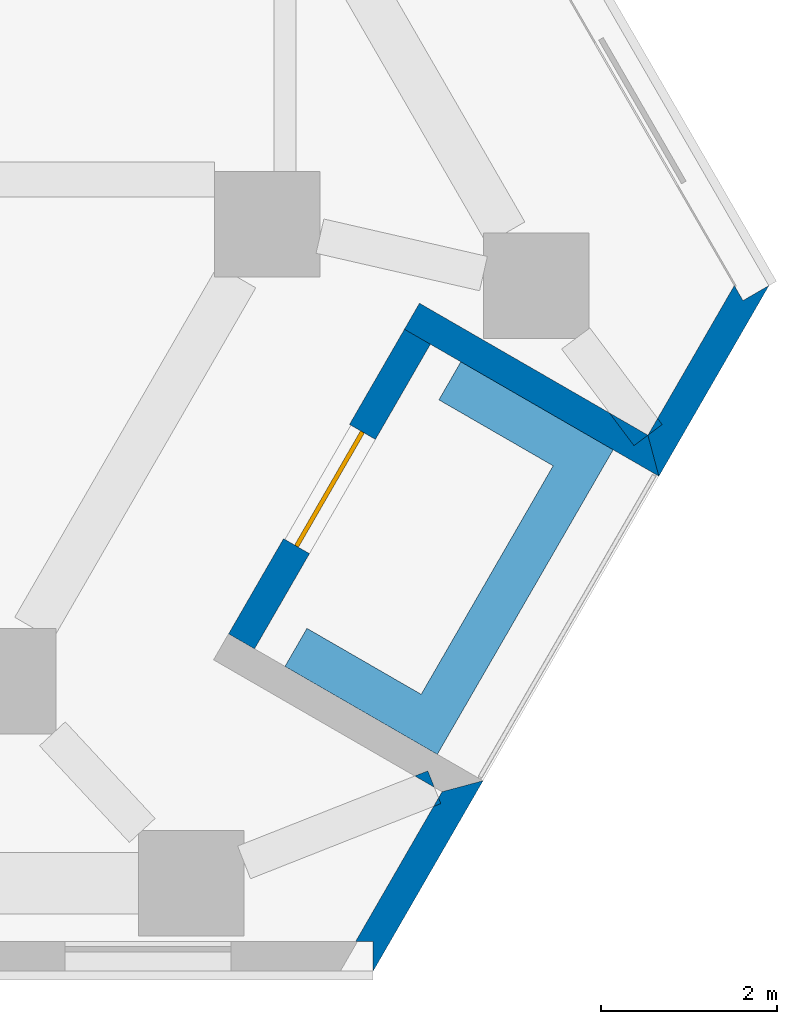
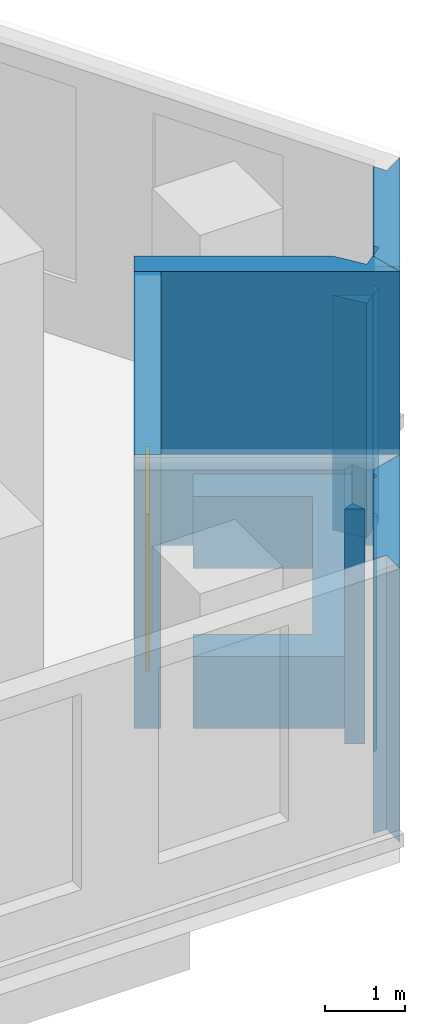
# One storey, part 7 of 14: 9 walls, 1 door, 1 opening.
"""IFC4 building model written with IfcOpenShell, lengths in metres."""

from ifc_helpers import new_model, si_unit, direction, frame, frame_2d, origin, place, context, subcontext, project, spatial, polyline, rectangle, outline, extrude, material, layer, layer_set, type_object, element, fill, save


model = new_model("IFC4")

# Units and contexts
model_context = context("Model", 3, precision=1e-05, world=origin(), true_north=direction((0.0, 1.0)))
body_context = subcontext(model_context, "Body", "Model", "MODEL_VIEW")
ifc_project = project(units=[si_unit("LENGTHUNIT", "METRE"), si_unit("AREAUNIT", "SQUARE_METRE"), si_unit("VOLUMEUNIT", "CUBIC_METRE"), si_unit("PLANEANGLEUNIT", "RADIAN"), si_unit("MASSUNIT", "GRAM", prefix="KILO")], contexts=[model_context])

# Site, building, storey
site_placement = place(None, origin())
site = spatial("IfcSite", under=ifc_project, at=site_placement, CompositionType="ELEMENT")
building_placement = place(site_placement, origin())
building = spatial("IfcBuilding", under=site, at=building_placement, Name="Fogline Exchange Tower", CompositionType="ELEMENT")
storey_placement = place(building_placement, frame((0.0, 0.0, 34.0)))
storey = spatial("IfcBuildingStorey", under=building, at=storey_placement, Name="L06", CompositionType="ELEMENT", Elevation=34.0)

# Walls
ifc_material_1 = material(Name="Brick masonry", Category="masonry")
ifc_layer_1 = layer(ifc_material_1, 0.340087890625)
ifc_layer_set_1 = layer_set([ifc_layer_1], Name="FW1")
wall_type_1 = type_object("IfcWallType", Name="FW1", PredefinedType="SOLIDWALL", material=ifc_layer_set_1)
wall_1_placement = place(storey_placement, origin())
element("IfcWall", 1, at=wall_1_placement, inside=storey, type_object=wall_type_1, Name="Brick wall L06 SE-c1", PredefinedType="SOLIDWALL", context=body_context, shape_type="SweptSolid", body=[
    extrude(outline(polyline([(28.744384765625, 1.970703125), (28.77001953125, 1.906005859375), (28.6884765625, 1.873779296875), (28.744384765625, 1.970703125)])), origin(), (0.0, 0.0, 1.0), 3.60009765625),
])
wall_2_placement = place(storey_placement, origin())
element("IfcWall", 2, at=wall_2_placement, inside=storey, type_object=wall_type_1, Name="Brick wall L06 SE-c1", PredefinedType="SOLIDWALL", context=body_context, shape_type="SweptSolid", body=[
    extrude(outline(polyline([(28.0, -0.001220703125), (27.99951171875, -0.0009765625), (27.99951171875, 0.33935546875), (27.802734375, 0.33935546875), (28.6884765625, 1.873779296875), (28.77001953125, 1.906005859375), (28.744384765625, 1.970703125), (28.78515625, 2.041015625), (29.2509765625, 2.166015625), (29.2509765625, 2.165771484375), (28.0, -0.001220703125)])), origin(), (0.0, 0.0, 1.0), 4.199951171875),
])
wall_3_placement = place(storey_placement, origin())
element("IfcWall", 3, at=wall_3_placement, inside=storey, type_object=wall_type_1, Name="Brick wall L06 SE-s1", PredefinedType="SOLIDWALL", context=body_context, shape_type="SweptSolid", body=[
    extrude(outline(polyline([(28.474609375, 2.219482421875), (28.623046875, 2.278076171875), (28.69677734375, 2.091064453125), (28.474609375, 2.219482421875)])), origin(), (0.0, 0.0, 1.0), 3.60009765625),
])

# Wall, opening, door
wall_4_placement = place(storey_placement, frame((26.504638671875, 3.75, 0.0), z_axis=(0.0, 0.0, 1.0), x_axis=(0.49999894854, 0.866026010844, 0.0)))
wall_4 = element("IfcWall", 4, at=wall_4_placement, inside=storey, type_object=wall_type_1, Name="Brick wall L06 SE-bk", PredefinedType="SOLIDWALL", context=body_context, shape_type="SweptSolid", body=[
    extrude(rectangle(XDim=4.0, YDim=0.340087890625, at=frame_2d((2.0, 0.0))), origin(), (0.0, 0.0, 1.0), 4.199951171875),
])
opening_placement = place(wall_4_placement, frame((1.25, 0.0, 0.0)))
opening = element("IfcOpeningElement", 5, at=opening_placement, cuts=wall_4, Name="Opening T01-E081", PredefinedType="OPENING", context=body_context, shape_type="SweptSolid", body=[
    extrude(rectangle(XDim=1.5, YDim=2.39990234375, at=frame_2d((0.75, 1.199951171875))), frame((0.0, 0.18017578125, 0.0), z_axis=(0.0, -1.0, 0.0), x_axis=(1.0, 0.0, 0.0)), (0.0, 0.0, 1.0), 0.360107421875),
])
ifc_material_2 = material(Name="Aluminium and glass", Category="aluminium")
door_type = type_object("IfcDoorType", Name="ED4", OperationType="SINGLE_SWING_LEFT", PredefinedType="DOOR", material=ifc_material_2)
door_placement = place(opening_placement, frame((1.5, 0.0, 0.0), z_axis=(0.0, 0.0, 1.0), x_axis=(-1.0, 0.0, 0.0)))
door = element("IfcDoor", 6, at=door_placement, inside=storey, type_object=door_type, Name="Balcony door L06 SE", OperationType="DOUBLE_DOOR_SINGLE_SWING", OverallHeight=2.39990234375, OverallWidth=1.5, PredefinedType="DOOR", context=body_context, shape_type="SweptSolid", body=[
    extrude(rectangle(XDim=1.5, YDim=2.39990234375, at=frame_2d((0.75, 1.199951171875))), frame((0.0, 0.02490234375, 0.0), z_axis=(0.0, -1.0, 0.0), x_axis=(1.0, 0.0, 0.0)), (0.0, 0.0, 1.0), 0.050048828125),
])
fill(opening, door)

# Walls
wall_5_placement = place(storey_placement, origin())
element("IfcWall", 7, at=wall_5_placement, inside=storey, type_object=wall_type_1, Name="Brick wall L06 SE-s2", PredefinedType="SOLIDWALL", context=body_context, shape_type="SweptSolid", body=[
    extrude(outline(polyline([(31.125244140625, 6.094482421875), (30.966552734375, 5.9755859375), (30.689208984375, 6.34619140625), (31.125244140625, 6.094482421875)])), origin(), (0.0, 0.0, 1.0), 3.60009765625),
])
wall_6_placement = place(storey_placement, origin())
element("IfcWall", 8, at=wall_6_placement, inside=storey, type_object=wall_type_1, Name="Brick wall L06 SE-s2", PredefinedType="SOLIDWALL", context=body_context, shape_type="SweptSolid", body=[
    extrude(outline(polyline([(28.651611328125, 7.128662109375), (28.356689453125, 7.298828125), (28.52734375, 7.594482421875), (30.689208984375, 6.34619140625), (30.966552734375, 5.9755859375), (31.125244140625, 6.094482421875), (31.1259765625, 6.093994140625), (31.250732421875, 5.62841796875), (31.25048828125, 5.628173828125), (28.651611328125, 7.128662109375)])), origin(), (0.0, 0.0, 1.0), 4.199951171875),
])
wall_7_placement = place(storey_placement, origin())
element("IfcWall", 9, at=wall_7_placement, inside=storey, type_object=wall_type_1, Name="Brick wall L06 SE-c2", PredefinedType="SOLIDWALL", context=body_context, shape_type="SweptSolid", body=[
    extrude(outline(polyline([(31.235107421875, 6.284423828125), (31.28662109375, 6.21533203125), (31.12548828125, 6.0947265625), (31.235107421875, 6.284423828125)])), origin(), (0.0, 0.0, 1.0), 3.60009765625),
])
wall_8_placement = place(storey_placement, origin())
element("IfcWall", 10, at=wall_8_placement, inside=storey, type_object=wall_type_1, Name="Brick wall L06 SE-c2", PredefinedType="SOLIDWALL", context=body_context, shape_type="SweptSolid", body=[
    extrude(outline(polyline([(32.205810546875, 7.625), (32.500732421875, 7.79541015625), (32.5009765625, 7.794921875), (31.25, 5.6279296875), (31.249755859375, 5.6279296875), (31.125, 6.09375), (31.12548828125, 6.0947265625), (31.28662109375, 6.21533203125), (31.235107421875, 6.284423828125), (32.107421875, 7.79541015625), (32.205810546875, 7.625)])), origin(), (0.0, 0.0, 1.0), 4.199951171875),
])
ifc_material_3 = material(Name="Concrete C30", Category="concrete")
ifc_layer_2 = layer(ifc_material_3, 0.199951171875)
ifc_layer_set_2 = layer_set([ifc_layer_2], Name="PL1")
wall_type_2 = type_object("IfcWallType", Name="PL1", PredefinedType="USERDEFINED", material=ifc_layer_set_2)
wall_9_placement = place(storey_placement, origin())
element("IfcWall", 11, at=wall_9_placement, inside=storey, type_object=wall_type_2, Name="PLANTER balcony L06 SE", ObjectType="PLANTER", PredefinedType="USERDEFINED", context=body_context, shape_type="SweptSolid", body=[
    extrude(outline(polyline([(26.998291015625, 3.465087890625), (28.29736328125, 2.715087890625), (28.29736328125, 2.715087890625), (28.73046875, 2.465087890625), (30.48046875, 5.49609375), (30.73046875, 5.92919921875), (28.998291015625, 6.92919921875), (28.748291015625, 6.49609375), (30.04736328125, 5.74609375), (28.54736328125, 3.148193359375), (27.248291015625, 3.898193359375), (26.998291015625, 3.465087890625)])), origin(), (0.0, 0.0, 1.0), 1.10009765625),
])

save(model, "model.ifc")
